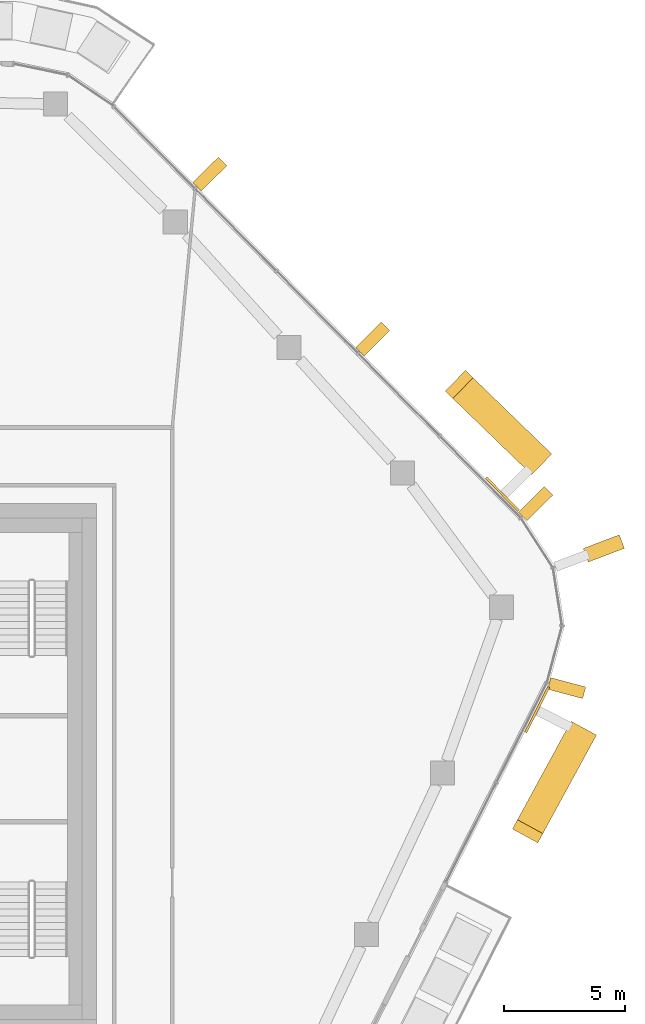
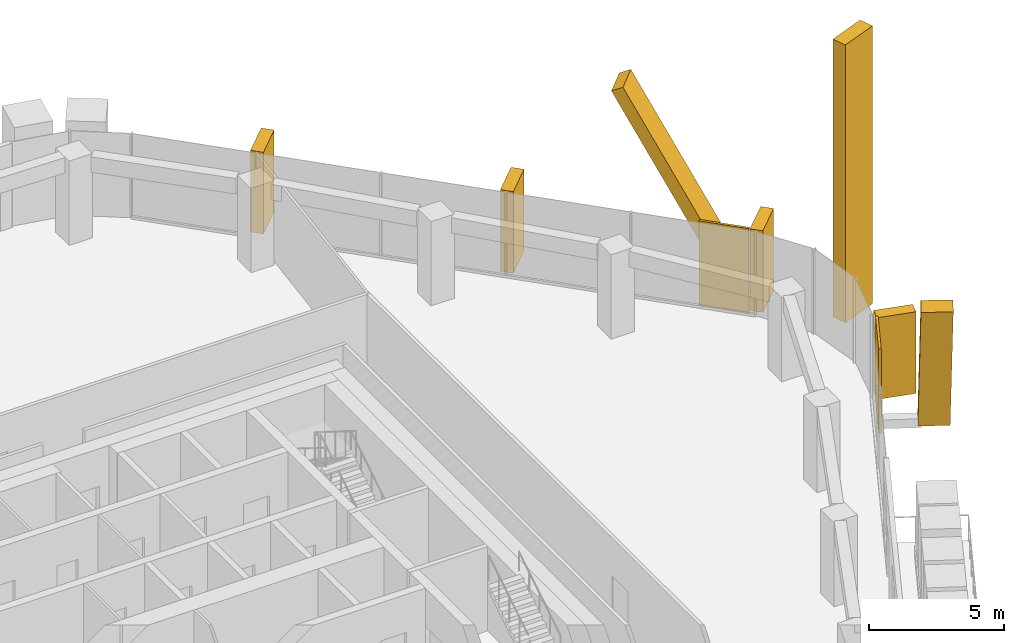
# One storey, part 23 of 23: 9 coverings, 3 elements without a shape of their own.
"""IFC4 building model written with IfcOpenShell, lengths in metres."""

from ifc_helpers import new_model, si_unit, direction, frame, origin, origin_2d, place, context, subcontext, project, spatial, rectangle, extrude, material, layer, layer_set, material_profile, profile_set, type_object, element, aggregate, save


model = new_model("IFC4")

# Units and contexts
model_context = context("Model", 3, precision=1e-05, world=origin(), true_north=direction((0.0, 1.0)))
body_context = subcontext(model_context, "Body", "Model", "MODEL_VIEW")
ifc_project = project(units=[si_unit("LENGTHUNIT", "METRE"), si_unit("AREAUNIT", "SQUARE_METRE"), si_unit("VOLUMEUNIT", "CUBIC_METRE"), si_unit("PLANEANGLEUNIT", "RADIAN"), si_unit("MASSUNIT", "GRAM", prefix="KILO")], contexts=[model_context])

# Site, building, storey
site_placement = place(None, origin())
site = spatial("IfcSite", under=ifc_project, at=site_placement, CompositionType="ELEMENT")
building_placement = place(site_placement, origin())
building = spatial("IfcBuilding", under=site, at=building_placement, Name="Dongbaek Canopy Tower", CompositionType="ELEMENT")
storey_placement = place(building_placement, frame((0.0, 0.0, 319.39990234375)))
storey = spatial("IfcBuildingStorey", under=building, at=storey_placement, Name="L68", CompositionType="ELEMENT", Elevation=319.39990234375)

# Curtain wall, covering
ifc_material_1 = material(Name="Aluminium 6063-T6 pale anodised", Category="aluminium")
ifc_layer_1 = layer(ifc_material_1, 0.199951171875)
ifc_layer_set_1 = layer_set([ifc_layer_1], Name="CW-1 unitised tower curtain wall")
curtain_wall_type = type_object("IfcCurtainWallType", Name="CW-1 unitised tower curtain wall", PredefinedType="NOTDEFINED", material=ifc_layer_set_1)
curtain_wall_1_placement = place(storey_placement, origin())
curtain_wall_1 = element("IfcCurtainWall", 1, at=curtain_wall_1_placement, inside=storey, type_object=curtain_wall_type, Name="CW-1 curtain wall K0.1", PredefinedType="NOTDEFINED")
ifc_material_2 = material(Name="Aluminium 6063-T6 pale metal fin", Category="aluminium")
ifc_material_profile_1 = material_profile(ifc_material_2, rectangle(XDim=1.60009765625, YDim=0.60009765625, at=origin_2d()), Name="Corner fin CN1 600 x 1600 pale metal")
ifc_profile_set_1 = profile_set([ifc_material_profile_1], Name="Aluminium 6063-T6 pale metal fin")
covering_type_1 = type_object("IfcCoveringType", Name="Corner fin CN1 600 x 1600 pale metal", PredefinedType="CLADDING", material=ifc_profile_set_1)
covering_1_placement = place(storey_placement, frame((35.046142578125, 9.136474609375, -0.18994140625), z_axis=(0.0, 0.0, 1.0), x_axis=(0.93463651149, 0.355604543544, 0.0)))
covering_1 = element("IfcCovering", 2, at=covering_1_placement, type_object=covering_type_1, Name="Corner fin L68 L70 K0", PredefinedType="CLADDING", context=body_context, shape_type="SweptSolid", body=[
    extrude(rectangle(XDim=1.60009765625, YDim=0.60009765625, at=origin_2d()), origin(), (0.0, 0.0, 1.0), 12.580078125),
])

curtain_wall_2_placement = place(storey_placement, origin())
curtain_wall_2 = element("IfcCurtainWall", 3, at=curtain_wall_2_placement, inside=storey, type_object=curtain_wall_type, Name="CW-1 curtain wall F5.1", PredefinedType="NOTDEFINED")
ifc_material_3 = material(Name="Aluminium 6063-T6 pale metal fin", Category="aluminium")
ifc_material_profile_2 = material_profile(ifc_material_3, rectangle(XDim=1.199951171875, YDim=0.5, at=origin_2d()), Name="Crease fin CF1 500 x 1200 pale metal")
ifc_profile_set_2 = profile_set([ifc_material_profile_2], Name="Aluminium 6063-T6 pale metal fin")
covering_type_2 = type_object("IfcCoveringType", Name="Crease fin CF1 500 x 1200 pale metal", PredefinedType="CLADDING", material=ifc_profile_set_2)
covering_2_placement = place(storey_placement, frame((34.1123046875, 1.490234375, -0.18994140625), z_axis=(-0.231655497657, -0.425451810151, 0.874829404881), x_axis=(0.878250365167, -0.478201104227, 0.0)))
covering_2 = element("IfcCovering", 4, at=covering_2_placement, type_object=covering_type_2, Name="Crease fin L68 L70 F5", PredefinedType="CLADDING", context=body_context, shape_type="SweptSolid", body=[
    extrude(rectangle(XDim=1.199951171875, YDim=0.5, at=origin_2d()), origin(), (0.0, 0.0, 1.0), 9.60205078125),
])

curtain_wall_3_placement = place(storey_placement, origin())
curtain_wall_3 = element("IfcCurtainWall", 5, at=curtain_wall_3_placement, inside=storey, type_object=curtain_wall_type, Name="CW-1 curtain wall F0.1", PredefinedType="NOTDEFINED")
covering_3_placement = place(storey_placement, frame((32.314208984375, 12.773681640625, -0.18994140625), z_axis=(-0.342033515978, 0.331119727955, 0.8794161698), x_axis=(-0.695551096773, -0.71847663273, 0.0)))
covering_3 = element("IfcCovering", 6, at=covering_3_placement, type_object=covering_type_2, Name="Crease fin L68 L70 F0", PredefinedType="CLADDING", context=body_context, shape_type="SweptSolid", body=[
    extrude(rectangle(XDim=1.199951171875, YDim=0.5, at=origin_2d()), origin(), (0.0, 0.0, 1.0), 9.552001953125),
])

# Covering
ifc_material_4 = material(Name="Perforated aluminium 6063-T6 pale metal screen", Category="aluminium")
ifc_layer_2 = layer(ifc_material_4, 0.10009765625)
ifc_layer_set_2 = layer_set([ifc_layer_2], Name="Facet screen FS1 100 pale metal")
covering_type_3 = type_object("IfcCoveringType", Name="Facet screen FS1 100 pale metal", PredefinedType="CLADDING", material=ifc_layer_set_2)
covering_4_placement = place(storey_placement, frame((32.28759765625, 2.450927734375, 0.0), z_axis=(0.0, 0.0, 1.0), x_axis=(0.451969260113, 0.892033512775, 0.0)))
covering_4 = element("IfcCovering", 7, at=covering_4_placement, type_object=covering_type_3, Name="Facet screen L68 F5", PredefinedType="CLADDING", context=body_context, shape_type="SweptSolid", body=[
    extrude(rectangle(XDim=2.115478515625, YDim=0.10009765625, at=origin_2d()), origin(), (0.0, 0.0, 1.0), 3.820068359375),
])

aggregate(curtain_wall_2, [covering_2, covering_4])

covering_5_placement = place(storey_placement, frame((30.840576171875, 11.38671875, 0.0), z_axis=(0.0, 0.0, 1.0), x_axis=(-0.703156472132, 0.711035143787, 0.0)))
covering_5 = element("IfcCovering", 8, at=covering_5_placement, type_object=covering_type_3, Name="Facet screen L68 F0", PredefinedType="CLADDING", context=body_context, shape_type="SweptSolid", body=[
    extrude(rectangle(XDim=1.922607421875, YDim=0.10009765625, at=origin_2d()), origin(), (0.0, 0.0, 1.0), 3.820068359375),
])

ifc_material_5 = material(Name="Aluminium 6063-T6 pale metal fin", Category="aluminium")
ifc_material_profile_3 = material_profile(ifc_material_5, rectangle(XDim=1.5, YDim=0.5, at=origin_2d()), Name="Fin FN1 500 x 1500 pale metal")
ifc_profile_set_3 = profile_set([ifc_material_profile_3], Name="Aluminium 6063-T6 pale metal fin")
covering_type_4 = type_object("IfcCoveringType", Name="Fin FN1 500 x 1500 pale metal", PredefinedType="CLADDING", material=ifc_profile_set_3)
covering_6_placement = place(storey_placement, frame((33.50830078125, 3.34326171875, 0.1201171875), z_axis=(0.0, 0.0, 1.0), x_axis=(0.966173872892, -0.257891541817, 0.0)))
covering_6 = element("IfcCovering", 9, at=covering_6_placement, type_object=covering_type_4, Name="Fin K0.1.1", PredefinedType="CLADDING", context=body_context, shape_type="SweptSolid", body=[
    extrude(rectangle(XDim=1.5, YDim=0.5, at=origin_2d()), origin(), (0.0, 0.0, 1.0), 3.699951171875),
])

aggregate(curtain_wall_1, [covering_6, covering_1])

covering_7_placement = place(storey_placement, frame((32.220947265625, 10.9921875, 0.1201171875), z_axis=(0.0, 0.0, 1.0), x_axis=(0.711035260325, 0.703156354287, 0.0)))
covering_7 = element("IfcCovering", 10, at=covering_7_placement, type_object=covering_type_4, Name="Fin F0.1.1", PredefinedType="CLADDING", context=body_context, shape_type="SweptSolid", body=[
    extrude(rectangle(XDim=1.5, YDim=0.5, at=origin_2d()), origin(), (0.0, 0.0, 1.0), 3.699951171875),
])

covering_8_placement = place(storey_placement, frame((25.46728515625, 17.821533203125, 0.1201171875), z_axis=(0.0, 0.0, 1.0), x_axis=(0.711035260325, 0.703156354287, 0.0)))
covering_8 = element("IfcCovering", 11, at=covering_8_placement, type_object=covering_type_4, Name="Fin F0.1.3", PredefinedType="CLADDING", context=body_context, shape_type="SweptSolid", body=[
    extrude(rectangle(XDim=1.5, YDim=0.5, at=origin_2d()), origin(), (0.0, 0.0, 1.0), 3.699951171875),
])

covering_9_placement = place(storey_placement, frame((18.7060546875, 24.658447265625, 0.1201171875), z_axis=(0.0, 0.0, 1.0), x_axis=(0.711035260325, 0.703156354287, 0.0)))
covering_9 = element("IfcCovering", 12, at=covering_9_placement, type_object=covering_type_4, Name="Fin F0.1.5", PredefinedType="CLADDING", context=body_context, shape_type="SweptSolid", body=[
    extrude(rectangle(XDim=1.5, YDim=0.5, at=origin_2d()), origin(), (0.0, 0.0, 1.0), 3.699951171875),
])

aggregate(curtain_wall_3, [covering_7, covering_8, covering_9, covering_3, covering_5])

save(model, "model.ifc")
